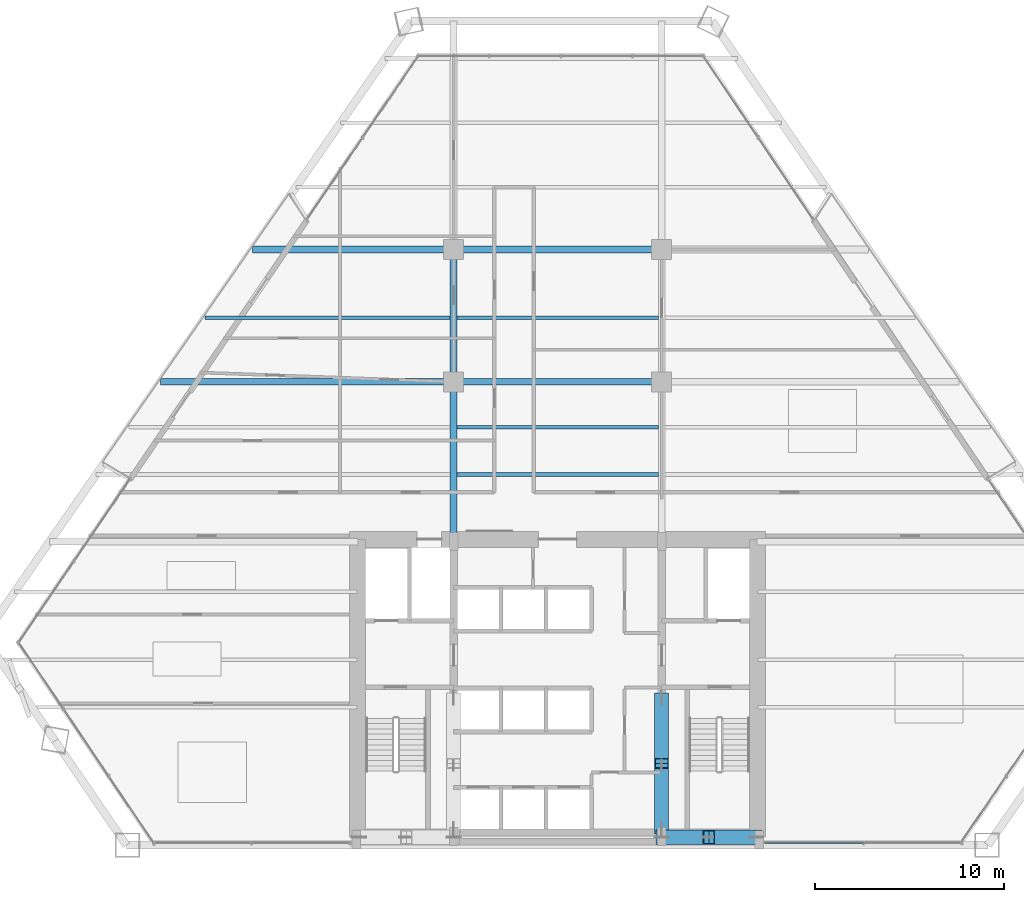
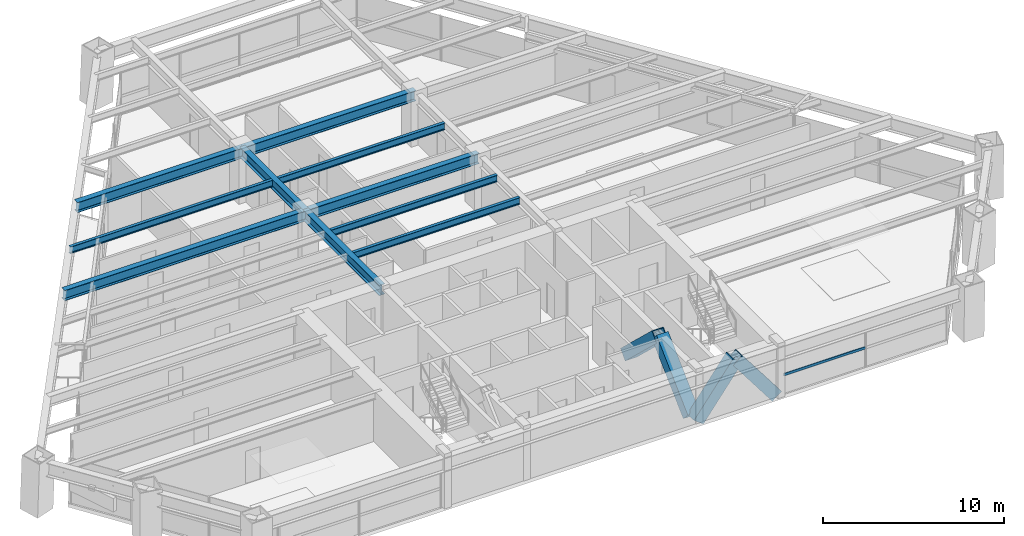
# One storey, part 5 of 14: 10 beams, 5 members, 1 element without a shape of its own.
"""IFC4 building model written with IfcOpenShell, lengths in metres."""

from ifc_helpers import new_model, si_unit, direction, frame, origin, origin_2d, place, context, subcontext, project, spatial, rectangle, hollow_rectangle, i_section, extrude, source, transform, mapped, material, material_profile, profile_set, type_object, type_shapes, element, aggregate, save


model = new_model("IFC4")

# Units and contexts
model_context = context("Model", 3, precision=1e-05, world=origin(), true_north=direction((0.0, 1.0)))
body_context = subcontext(model_context, "Body", "Model", "MODEL_VIEW")
ifc_project = project(units=[si_unit("LENGTHUNIT", "METRE"), si_unit("AREAUNIT", "SQUARE_METRE"), si_unit("VOLUMEUNIT", "CUBIC_METRE"), si_unit("PLANEANGLEUNIT", "RADIAN"), si_unit("MASSUNIT", "GRAM", prefix="KILO")], contexts=[model_context])

# Site, building, storey
site_placement = place(None, origin())
site = spatial("IfcSite", under=ifc_project, at=site_placement, CompositionType="ELEMENT")
building_placement = place(site_placement, origin())
building = spatial("IfcBuilding", under=site, at=building_placement, Name="Varnakhor Terracotta Tower", CompositionType="ELEMENT")
storey_placement = place(building_placement, frame((0.0, 0.0, 42.300048828125)))
storey = spatial("IfcBuildingStorey", under=building, at=storey_placement, Name="L09", CompositionType="ELEMENT", Elevation=42.300048828125)

# Beams
ifc_material_1 = material(Name="Steel S355", Category="steel")
ifc_material_profile_1 = material_profile(ifc_material_1, i_section(OverallWidth=0.35498046875, OverallDepth=0.695068359375, WebThickness=0.014892578125, FlangeThickness=0.02490234375, FilletRadius=0.01806640625, at=origin_2d()), Name="W27X146")
ifc_profile_set_1 = profile_set([ifc_material_profile_1], Name="Steel S355")
beam_type_1 = type_object("IfcBeamType", Name="BM-W27X146", PredefinedType="BEAM", material=ifc_profile_set_1)
shared_shape_1 = source(origin(), body_context, "Body", "SweptSolid", [
    extrude(i_section(OverallWidth=0.35498046875, OverallDepth=0.695068359375, WebThickness=0.014892578125, FlangeThickness=0.02490234375, FilletRadius=0.01806640625, at=origin_2d()), origin(), (0.0, 0.0, 1.0), 8.449951171875),
])
type_shapes(beam_type_1, [shared_shape_1])
beam_1_placement = place(storey_placement, frame((-5.5, 16.050048828125, 3.1025390625), z_axis=(0.0, 1.0, 0.0), x_axis=(-1.0, 0.0, 0.0)))
element("IfcBeam", 1, at=beam_1_placement, inside=storey, type_object=beam_type_1, Name="L09 Primary Girder NS1-W", PredefinedType="BEAM", context=body_context, shape_type="MappedRepresentation", body=[
    mapped(shared_shape_1, transform((0.0, 0.0, 0.0), scale=1.0)),
])
shared_shape_2 = source(origin(), body_context, "Body", "SweptSolid", [
    extrude(i_section(OverallWidth=0.35498046875, OverallDepth=0.695068359375, WebThickness=0.014892578125, FlangeThickness=0.02490234375, FilletRadius=0.01806640625, at=origin_2d()), origin(), (0.0, 0.0, 1.0), 7.0),
])
beam_2_placement = place(storey_placement, frame((-5.5, 24.5, 3.1025390625), z_axis=(0.0, 1.0, 0.0), x_axis=(-1.0, 0.0, 0.0)))
element("IfcBeam", 2, at=beam_2_placement, inside=storey, type_object=beam_type_1, Name="L09 Primary Girder NS2-W", PredefinedType="BEAM", context=body_context, shape_type="MappedRepresentation", body=[
    mapped(shared_shape_2, transform((0.0, 0.0, 0.0), scale=1.0)),
])
shared_shape_3 = source(origin(), body_context, "Body", "SweptSolid", [
    extrude(i_section(OverallWidth=0.35498046875, OverallDepth=0.695068359375, WebThickness=0.014892578125, FlangeThickness=0.02490234375, FilletRadius=0.01806640625, at=origin_2d()), origin(), (0.0, 0.0, 1.0), 11.0),
])
for number, where, z_axis, x_axis, name in (
    (3, (-5.5, 24.5, 3.1025390625), (1.0, 0.0, 0.0), (0.0, 1.0, 0.0), "L09 Primary Girder EW2-2"),
    (4, (-5.5, 31.5, 3.1025390625), (1.0, 0.0, 0.0), (0.0, 1.0, 0.0), "L09 Primary Girder EW3-2"),
):
    element("IfcBeam", number, at=place(storey_placement, frame(where, z_axis=z_axis, x_axis=x_axis)), inside=storey, type_object=beam_type_1, Name=name, PredefinedType="BEAM", context=body_context, shape_type="MappedRepresentation", body=[
        mapped(shared_shape_3, transform((0.0, 0.0, 0.0), scale=1.0)),
    ])
ifc_material_profile_2 = material_profile(ifc_material_1, i_section(OverallWidth=0.19189453125, OverallDepth=0.462890625, WebThickness=0.010498046875, FlangeThickness=0.017578125, FilletRadius=0.01806640625, at=origin_2d()), Name="W18X60")
ifc_profile_set_2 = profile_set([ifc_material_profile_2], Name="Steel S355")
beam_type_2 = type_object("IfcBeamType", Name="JST-W18X60", PredefinedType="JOIST", material=ifc_profile_set_2)
shared_shape_4 = source(origin(), body_context, "Body", "SweptSolid", [
    extrude(i_section(OverallWidth=0.19189453125, OverallDepth=0.462890625, WebThickness=0.010498046875, FlangeThickness=0.017578125, FilletRadius=0.01806640625, at=origin_2d()), origin(), (0.0, 0.0, 1.0), 10.65283203125),
])
for number, where, z_axis, x_axis, name in (
    (5, (-5.326416015625, 19.60009765625, 3.218505859375), (1.0, 0.0, 0.0), (0.0, 1.0, 0.0), "L09 Composite Floor Joist 4-2"),
    (6, (-5.326416015625, 22.10009765625, 3.218505859375), (1.0, 0.0, 0.0), (0.0, 1.0, 0.0), "L09 Composite Floor Joist 5-2"),
    (7, (-5.326416015625, 27.89990234375, 3.218505859375), (1.0, 0.0, 0.0), (0.0, 1.0, 0.0), "L09 Composite Floor Joist 6-2"),
):
    element("IfcBeam", number, at=place(storey_placement, frame(where, z_axis=z_axis, x_axis=x_axis)), inside=storey, type_object=beam_type_2, Name=name, PredefinedType="JOIST", context=body_context, shape_type="MappedRepresentation", body=[
        mapped(shared_shape_4, transform((0.0, 0.0, 0.0), scale=1.0)),
    ])

# Members
ifc_material_2 = material(Name="Steel S460", Category="steel")
ifc_material_profile_3 = material_profile(ifc_material_2, hollow_rectangle(XDim=0.75, YDim=0.75, WallThickness=0.044921875, at=origin_2d()), Name="HSS750X750X45")
ifc_profile_set_3 = profile_set([ifc_material_profile_3], Name="Steel S460")
member_type_1 = type_object("IfcMemberType", Name="MBR-MEGA-750", PredefinedType="BRACE", material=ifc_profile_set_3)
shared_shape_5 = source(origin(), body_context, "Body", "SweptSolid", [
    extrude(hollow_rectangle(XDim=0.75, YDim=0.75, WallThickness=0.044921875, at=origin_2d()), origin(), (0.0, 0.0, 1.0), 4.14013671875),
])
type_shapes(member_type_1, [shared_shape_5])
for number, where, z_axis, x_axis, name in (
    (8, (5.5, 0.419921875, 0.0), (0.603852011179, 0.0, 0.797096448741), (0.0, 1.0, 0.0), "L09 Core Coupled Brace CSEA"),
    (9, (10.5, 0.419921875, 0.0), (-0.603852011179, 0.0, 0.797096448741), (0.0, -1.0, 0.0), "L09 Core Coupled Brace CSEB"),
):
    element("IfcMember", number, at=place(storey_placement, frame(where, z_axis=z_axis, x_axis=x_axis)), inside=storey, type_object=member_type_1, Name=name, PredefinedType="BRACE", context=body_context, shape_type="MappedRepresentation", body=[
        mapped(shared_shape_5, transform((0.0, 0.0, 0.0), scale=1.0)),
    ])
shared_shape_6 = source(origin(), body_context, "Body", "SweptSolid", [
    extrude(hollow_rectangle(XDim=0.75, YDim=0.75, WallThickness=0.044921875, at=origin_2d()), origin(), (0.0, 0.0, 1.0), 4.792236328125),
])
for number, where, z_axis, x_axis, name in (
    (10, (5.5, 0.85009765625, 0.0), (0.0, 0.725110085518, 0.688632967466), (-1.0, 0.0, 0.0), "L09 Core Coupled Brace CWEA"),
    (11, (5.5, 7.800048828125, 0.0), (0.0, -0.72513424341, 0.688607529028), (1.0, 0.0, 0.0), "L09 Core Coupled Brace CWEB"),
):
    element("IfcMember", number, at=place(storey_placement, frame(where, z_axis=z_axis, x_axis=x_axis)), inside=storey, type_object=member_type_1, Name=name, PredefinedType="BRACE", context=body_context, shape_type="MappedRepresentation", body=[
        mapped(shared_shape_6, transform((0.0, 0.0, 0.0), scale=1.0)),
    ])

# Beams
shared_shape_7 = source(origin(), body_context, "Body", "SweptSolid", [
    extrude(i_section(OverallWidth=0.35498046875, OverallDepth=0.695068359375, WebThickness=0.014892578125, FlangeThickness=0.02490234375, FilletRadius=0.01806640625, at=origin_2d()), origin(), (0.0, 0.0, 1.0), 15.49560546875),
])
beam_3_placement = place(storey_placement, frame((-20.99560546875, 24.5, 3.1025390625), z_axis=(1.0, 0.0, 0.0), x_axis=(0.0, 1.0, 0.0)))
element("IfcBeam", 12, at=beam_3_placement, inside=storey, type_object=beam_type_1, Name="L09 Primary Girder EW2-1", PredefinedType="BEAM", context=body_context, shape_type="MappedRepresentation", body=[
    mapped(shared_shape_7, transform((0.0, 0.0, 0.0), scale=1.0)),
])
shared_shape_8 = source(origin(), body_context, "Body", "SweptSolid", [
    extrude(i_section(OverallWidth=0.35498046875, OverallDepth=0.695068359375, WebThickness=0.014892578125, FlangeThickness=0.02490234375, FilletRadius=0.01806640625, at=origin_2d()), origin(), (0.0, 0.0, 1.0), 10.6328125),
])
beam_4_placement = place(storey_placement, frame((-16.1328125, 31.5, 3.1025390625), z_axis=(1.0, 0.0, 0.0), x_axis=(0.0, 1.0, 0.0)))
element("IfcBeam", 13, at=beam_4_placement, inside=storey, type_object=beam_type_1, Name="L09 Primary Girder EW3-1", PredefinedType="BEAM", context=body_context, shape_type="MappedRepresentation", body=[
    mapped(shared_shape_8, transform((0.0, 0.0, 0.0), scale=1.0)),
])
shared_shape_9 = source(origin(), body_context, "Body", "SweptSolid", [
    extrude(i_section(OverallWidth=0.19189453125, OverallDepth=0.462890625, WebThickness=0.010498046875, FlangeThickness=0.017578125, FilletRadius=0.01806640625, at=origin_2d()), origin(), (0.0, 0.0, 1.0), 12.960205078125),
])
beam_5_placement = place(storey_placement, frame((-18.6337890625, 27.89990234375, 3.218505859375), z_axis=(1.0, 0.0, 0.0), x_axis=(0.0, 1.0, 0.0)))
element("IfcBeam", 14, at=beam_5_placement, inside=storey, type_object=beam_type_2, Name="L09 Composite Floor Joist 6-1", PredefinedType="JOIST", context=body_context, shape_type="MappedRepresentation", body=[
    mapped(shared_shape_9, transform((0.0, 0.0, 0.0), scale=1.0)),
])

# Curtain wall, member
ifc_material_3 = material(Name="Anodised Aluminium Curtain Wall System", Category="aluminium")
curtain_wall_type = type_object("IfcCurtainWallType", Name="CW-SYS-LOW-OFFICE", PredefinedType="NOTDEFINED", material=ifc_material_3)
curtain_wall_placement = place(storey_placement, origin())
curtain_wall = element("IfcCurtainWall", 15, at=curtain_wall_placement, inside=storey, type_object=curtain_wall_type, Name="L09 South Wing Curtain Wall SSE", PredefinedType="NOTDEFINED")
ifc_material_4 = material(Name="Anodised Aluminium 6063-T6", Category="aluminium")
ifc_material_profile_4 = material_profile(ifc_material_4, rectangle(XDim=0.074951171875, YDim=0.1650390625, at=origin_2d()), Name="ALU TRANSOM 75x165")
ifc_profile_set_4 = profile_set([ifc_material_profile_4], Name="Anodised Aluminium 6063-T6")
member_type_2 = type_object("IfcMemberType", Name="CWT-02", PredefinedType="USERDEFINED", material=ifc_profile_set_4)
shared_shape_10 = source(origin(), body_context, "Body", "SweptSolid", [
    extrude(rectangle(XDim=0.074951171875, YDim=0.1650390625, at=origin_2d()), origin(), (0.0, 0.0, 1.0), 5.20166015625),
])
member_placement = place(storey_placement, frame((16.171630859375, 0.1201171875, 1.2724609375), z_axis=(-1.0, 0.0, 0.0), x_axis=(0.0, -1.0, 0.0)))
member = element("IfcMember", 16, at=member_placement, type_object=member_type_2, Name="L09 South Wing Curtain Wall SSE Transom 2", ObjectType="TRANSOM", PredefinedType="USERDEFINED", context=body_context, shape_type="MappedRepresentation", body=[
    mapped(shared_shape_10, transform((0.0, 0.0, 0.0), scale=1.0)),
])
aggregate(curtain_wall, [member])

save(model, "model.ifc")
